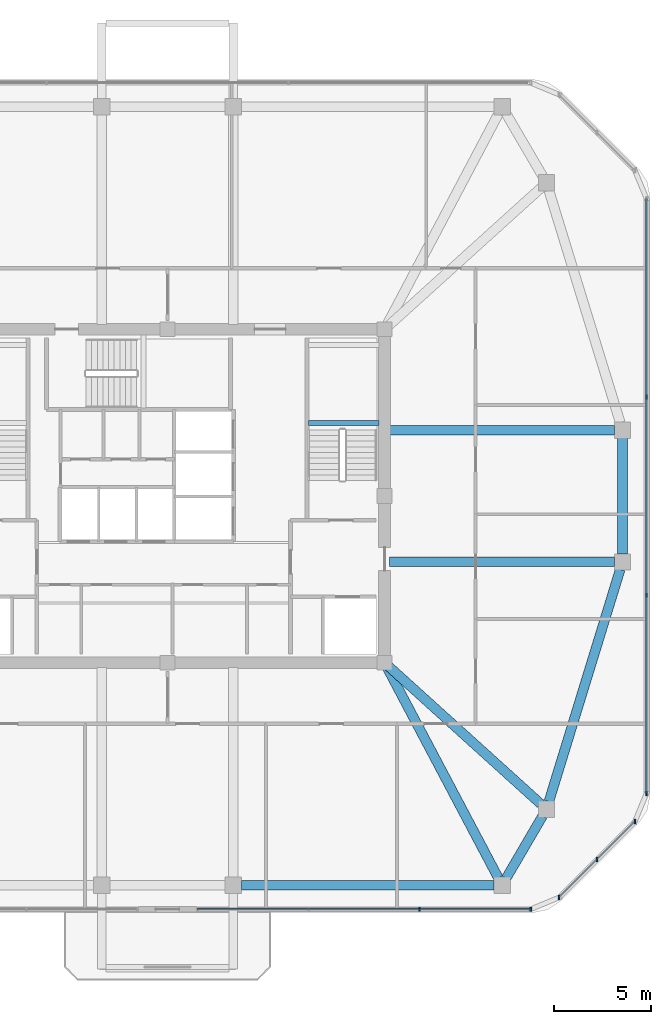
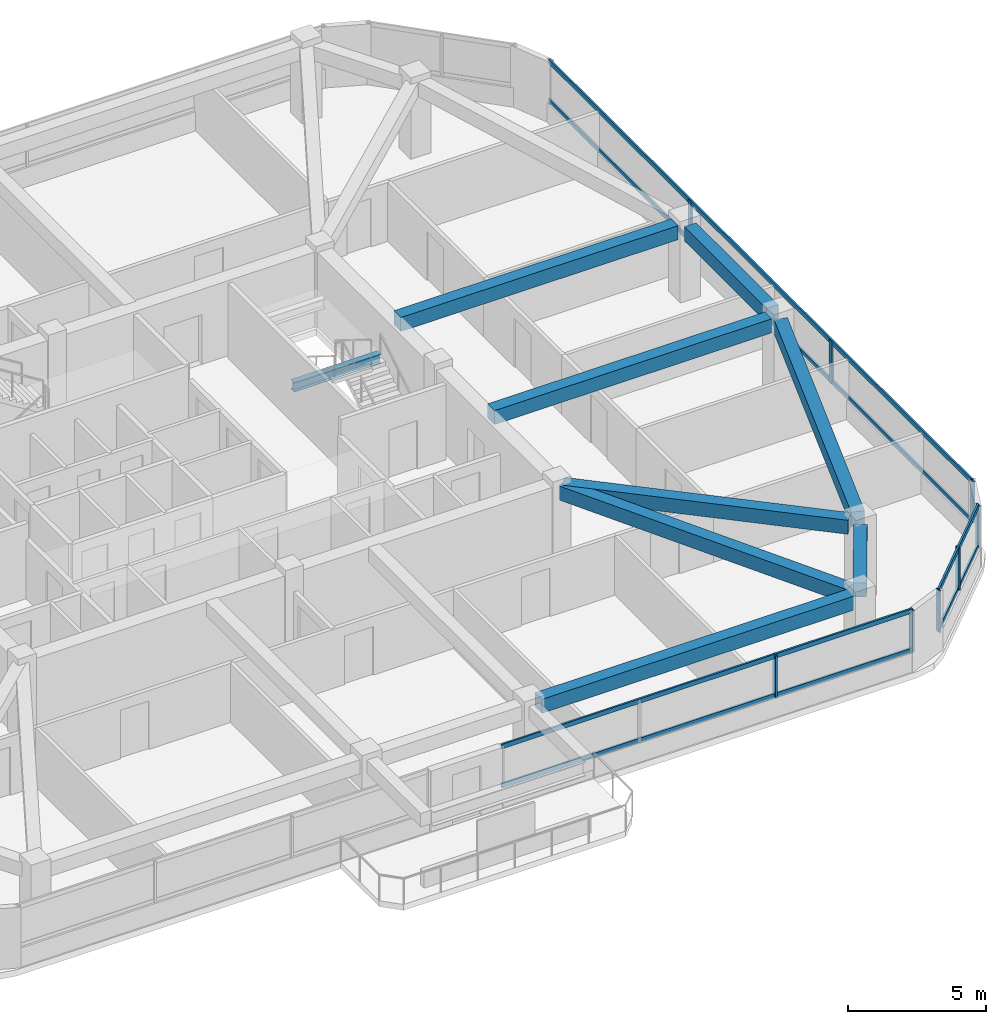
# One storey, part 3 of 12: 14 members, 9 beams, 3 elements without a shape of their own.
"""IFC4 building model written with IfcOpenShell, lengths in metres."""

import ifcopenshell
import ifcopenshell.guid

model = None  # the IFC model being written
_history = None  # IfcOwnerHistory: only IFC2X3 demands one
_inside = {}  # id of a spatial element -> (the spatial element, [elements in it])
_under = {}  # id of a project, library or spatial element -> (it, [spatial elements below it])
_declared = {}  # id of a project -> (the project, [libraries it declares])
_typed = {}  # id of a type object -> (the type object, [elements of that type])
_made_of = {}  # id of a material, layer set ... -> (it, [elements and type objects made of it])


def new_model(schema):
    """Start an empty IFC model of exactly this schema.

    Asked for "IFC4X3", IfcOpenShell would pick the latest addendum, in which some entities
    have other attributes; the version numbers below select the first issue.
    IFC2X3 requires an IfcOwnerHistory on every rooted entity: one is made here for all.
    """
    global model, _history
    if schema == "IFC4X3":
        model = ifcopenshell.file(schema_version=(4, 3, 0, 0))
    else:
        model = ifcopenshell.file(schema=schema)
    _inside.clear()
    _under.clear()
    _declared.clear()
    _typed.clear()
    _made_of.clear()
    _history = None
    if model.schema == "IFC2X3":
        org = make("IfcOrganization", Name="unknown")
        user = make(
            "IfcPersonAndOrganization",
            ThePerson=make("IfcPerson", FamilyName="unknown"),
            TheOrganization=org,
        )
        app = make(
            "IfcApplication",
            ApplicationDeveloper=org,
            Version="unknown",
            ApplicationFullName="unknown",
            ApplicationIdentifier="unknown",
        )
        _history = make(
            "IfcOwnerHistory",
            OwningUser=user,
            OwningApplication=app,
            ChangeAction="ADDED",
            CreationDate=0,
        )
    return model


def make(cls, **values):
    """One entity of the class cls with the attributes given. An attribute that is None is left unset."""
    return model.create_entity(
        cls, **{name: value for name, value in values.items() if value is not None}
    )


def rooted(cls, **values):
    """An entity with a GlobalId (a new one), such as an element, a storey or a relation."""
    return make(cls, GlobalId=ifcopenshell.guid.new(), OwnerHistory=_history, **values)


def si_unit(unit_type, name, prefix=None):
    """IfcSIUnit, for example si_unit("LENGTHUNIT", "METRE", prefix="MILLI")."""
    return make("IfcSIUnit", UnitType=unit_type, Prefix=prefix, Name=name)


def derived_unit(unit_type, elements):
    """IfcDerivedUnit: a product of units, each with its exponent."""
    return make(
        "IfcDerivedUnit",
        Elements=[
            make("IfcDerivedUnitElement", Unit=unit, Exponent=power)
            for unit, power in elements
        ],
        UnitType=unit_type,
    )


def assignment(units):
    """IfcUnitAssignment: the units of a project."""
    return None if units is None else make("IfcUnitAssignment", Units=units)


def point(xyz):
    """IfcCartesianPoint."""
    return None if xyz is None else make("IfcCartesianPoint", Coordinates=xyz)


def direction(xyz):
    """IfcDirection."""
    return None if xyz is None else make("IfcDirection", DirectionRatios=xyz)


def frame(location, z_axis=None, x_axis=None):
    """IfcAxis2Placement3D, a coordinate frame: its origin and axes. An axis left out is left unset."""
    return make(
        "IfcAxis2Placement3D",
        Location=point(location),
        Axis=direction(z_axis),
        RefDirection=direction(x_axis),
    )


def frame_2d(location, x_axis=None):
    """IfcAxis2Placement2D, a coordinate frame in the plane: its origin and x axis."""
    return make(
        "IfcAxis2Placement2D", Location=point(location), RefDirection=direction(x_axis)
    )


def origin():
    """The frame at (0, 0, 0) with its axes left unset."""
    return frame((0.0, 0.0, 0.0))


def origin_2d():
    """The frame at (0, 0) in the plane with its x axis left unset."""
    return frame_2d((0.0, 0.0))


def place(relative_to, where):
    """IfcLocalPlacement: puts the frame where relative to a parent placement (None: the world)."""
    return make(
        "IfcLocalPlacement", PlacementRelTo=relative_to, RelativePlacement=where
    )


def context(
    kind, dimensions, precision=None, world=None, true_north=None, identifier=None
):
    """IfcGeometricRepresentationContext, for example the 3D "Model" context."""
    return make(
        "IfcGeometricRepresentationContext",
        ContextIdentifier=identifier,
        ContextType=kind,
        CoordinateSpaceDimension=dimensions,
        Precision=precision,
        WorldCoordinateSystem=world,
        TrueNorth=true_north,
    )


def subcontext(parent, identifier, kind, view, scale=None):
    """IfcGeometricRepresentationSubContext, for example "Body" below "Model"."""
    return make(
        "IfcGeometricRepresentationSubContext",
        ContextIdentifier=identifier,
        ContextType=kind,
        ParentContext=parent,
        TargetScale=scale,
        TargetView=view,
    )


def project(units=None, contexts=None):
    """IfcProject with its units and contexts."""
    return rooted(
        "IfcProject",
        Name="project",
        RepresentationContexts=contexts,
        UnitsInContext=assignment(units),
    )


def spatial(cls, under=None, at=None, **own):
    """A site, building, storey or space (cls), placed at a placement, below another one or the project."""
    s = rooted(cls, ObjectPlacement=at, **own)
    if under is not None:
        _under.setdefault(under.id(), (under, []))[1].append(s)
    return s


def profile(cls, at=None, kind="AREA", **sizes):
    """A parametric profile (cls). Its sizes go by their IFC names, for example OverallWidth=200.0."""
    return make(cls, ProfileType=kind, Position=at, **sizes)


def rectangle(**sizes):
    """IfcRectangleProfileDef."""
    return profile("IfcRectangleProfileDef", **sizes)


def i_section(**sizes):
    """IfcIShapeProfileDef."""
    return profile("IfcIShapeProfileDef", **sizes)


def extrude(swept, where, along, depth):
    """IfcExtrudedAreaSolid: the profile swept, set in the frame where, extruded along a direction by depth."""
    return make(
        "IfcExtrudedAreaSolid",
        SweptArea=swept,
        Position=where,
        ExtrudedDirection=direction(along),
        Depth=depth,
    )


def shape(context_of_items, identifier, shape_type, items):
    """IfcShapeRepresentation: the items that make up one representation, for example the "Body"."""
    return make(
        "IfcShapeRepresentation",
        ContextOfItems=context_of_items,
        RepresentationIdentifier=identifier,
        RepresentationType=shape_type,
        Items=items,
    )


def material(Name=None, Category=None):
    """IfcMaterial."""
    return make("IfcMaterial", Name=Name, Category=Category)


def material_profile(
    of_material, cross_section, Name=None, Category=None, Priority=None
):
    """IfcMaterialProfile: a cross section and its material."""
    return make(
        "IfcMaterialProfile",
        Name=Name,
        Material=of_material,
        Profile=cross_section,
        Priority=Priority,
        Category=Category,
    )


def profile_set(profiles, Name=None, composite=None):
    """IfcMaterialProfileSet."""
    return make(
        "IfcMaterialProfileSet",
        Name=Name,
        MaterialProfiles=profiles,
        CompositeProfile=composite,
    )


def made_of(thing, what):
    """Note that an element or type object is made of a material, layer set ...; save() writes the relation."""
    if what is not None:
        _made_of.setdefault(what.id(), (what, []))[1].append(thing)
    return thing


def type_object(cls, material=None, **own):
    """A type object (cls), such as IfcWallType, which elements share."""
    return made_of(rooted(cls, **own), material)


def element(
    cls,
    number,
    at=None,
    inside=None,
    cuts=None,
    type_object=None,
    material=None,
    context=None,
    identifier="Body",
    shape_type=None,
    held_by="IfcProductDefinitionShape",
    body=None,
    shapes=None,
    **own,
):
    """One element of the class cls, such as IfcWall. Its Tag is "e" and its number.

    at: its placement. inside: the storey or other place that contains it. cuts: it is an
    opening in that element (IfcRelVoidsElement). A single representation is given by context,
    identifier, shape_type and body (its items); several are given by shapes. held_by: the class
    of the entity that holds the representations. save() writes the other relations.
    """
    e = rooted(cls, Tag="e%d" % number, ObjectPlacement=at, **own)
    if body is not None:
        shapes = [shape(context, identifier, shape_type, body)]
    if shapes is not None:
        e.Representation = make(held_by, Representations=shapes)
    if inside is not None:
        _inside.setdefault(inside.id(), (inside, []))[1].append(e)
    if cuts is not None:
        rooted(
            "IfcRelVoidsElement", RelatingBuildingElement=cuts, RelatedOpeningElement=e
        )
    if type_object is not None:
        _typed.setdefault(type_object.id(), (type_object, []))[1].append(e)
    return made_of(e, material)


def aggregate(whole, parts):
    """IfcRelAggregates: a whole, such as a stair, and the parts it consists of."""
    return rooted("IfcRelAggregates", RelatingObject=whole, RelatedObjects=parts)


def save(model, path):
    """Write the relations noted so far, then the file.

    IfcRelAggregates (storeys below a building ...), IfcRelContainedInSpatialStructure (elements
    in a storey), IfcRelDefinesByType, IfcRelAssociatesMaterial and IfcRelDeclares: one each for
    every whole, place, type object, material and project.
    """
    for whole, parts in _under.values():
        aggregate(whole, parts)
    for where, things in _inside.values():
        rooted(
            "IfcRelContainedInSpatialStructure",
            RelatedElements=things,
            RelatingStructure=where,
        )
    for kind, things in _typed.values():
        rooted("IfcRelDefinesByType", RelatedObjects=things, RelatingType=kind)
    for what, things in _made_of.values():
        rooted("IfcRelAssociatesMaterial", RelatedObjects=things, RelatingMaterial=what)
    for by, libraries in _declared.values():
        rooted("IfcRelDeclares", RelatingContext=by, RelatedDefinitions=libraries)
    model.write(path)


model = new_model("IFC4")

# Units and contexts
model_context = context("Model", 3, precision=1e-05, world=origin(), true_north=direction((0.0, 1.0)))
body_context = subcontext(model_context, "Body", "Model", "MODEL_VIEW")
ifc_project = project(units=[si_unit("LENGTHUNIT", "METRE"), si_unit("AREAUNIT", "SQUARE_METRE"), si_unit("VOLUMEUNIT", "CUBIC_METRE"), si_unit("PLANEANGLEUNIT", "RADIAN"), si_unit("MASSUNIT", "GRAM", prefix="KILO"), derived_unit("THERMALTRANSMITTANCEUNIT", [(si_unit("POWERUNIT", "WATT"), 1), (si_unit("LENGTHUNIT", "METRE"), -2), (si_unit("THERMODYNAMICTEMPERATUREUNIT", "KELVIN"), -1)])], contexts=[model_context])

# Site, building, storey
site_placement = place(None, origin())
site = spatial("IfcSite", under=ifc_project, at=site_placement, CompositionType="ELEMENT")
building_placement = place(site_placement, origin())
building = spatial("IfcBuilding", under=site, at=building_placement, Name="Koralith Skygarden Medical Center", CompositionType="ELEMENT")
storey_placement = place(building_placement, frame((0.0, 0.0, 278.820068359375)))
storey = spatial("IfcBuildingStorey", under=building, at=storey_placement, Name="L72", CompositionType="ELEMENT", Elevation=278.820068359375)

# Curtain wall, members
ifc_material_1 = material(Name="Clear Laminated Glass", Category="glass")
curtain_wall_type = type_object("IfcCurtainWallType", Name="CW-6 Zone 5 Upper Clinical Curtain Wall", PredefinedType="NOTDEFINED", material=ifc_material_1)
curtain_wall_1_placement = place(storey_placement, origin())
curtain_wall_1 = element("IfcCurtainWall", 1, at=curtain_wall_1_placement, inside=storey, type_object=curtain_wall_type, Name="Curtain Wall CW-L72-S-R", PredefinedType="NOTDEFINED")
ifc_material_2 = material(Name="Aluminium 6063-T6", Category="aluminium")
ifc_material_profile_1 = material_profile(ifc_material_2, rectangle(XDim=0.0830078125, YDim=0.219970703125, at=origin_2d()), Name="MUL83X220")
ifc_profile_set_1 = profile_set([ifc_material_profile_1], Name="Aluminium 6063-T6")
member_type_1 = type_object("IfcMemberType", Name="CW-6 Extruded Mullion 83x220", PredefinedType="MULLION", material=ifc_profile_set_1)
member_1_placement = place(storey_placement, frame((50.010009765625, 4.580078125, 0.849853515625), z_axis=(0.0, 0.0, 1.0), x_axis=(1.0, 0.0, 0.0)))
member_1 = element("IfcMember", 2, at=member_1_placement, type_object=member_type_1, Name="CW-L72-S-R Mullion 3", PredefinedType="MULLION", context=body_context, shape_type="SweptSolid", body=[
    extrude(rectangle(XDim=0.0830078125, YDim=0.219970703125, at=origin_2d()), origin(), (0.0, 0.0, 1.0), 1.840087890625),
])
member_2_placement = place(storey_placement, frame((55.7451171875, 4.580078125, 0.849853515625), z_axis=(0.0, 0.0, 1.0), x_axis=(1.0, 0.0, 0.0)))
member_2 = element("IfcMember", 3, at=member_2_placement, type_object=member_type_1, Name="CW-L72-S-R Mullion 4", PredefinedType="MULLION", context=body_context, shape_type="SweptSolid", body=[
    extrude(rectangle(XDim=0.0830078125, YDim=0.219970703125, at=origin_2d()), origin(), (0.0, 0.0, 1.0), 1.840087890625),
])

curtain_wall_2_placement = place(storey_placement, origin())
curtain_wall_2 = element("IfcCurtainWall", 4, at=curtain_wall_2_placement, inside=storey, type_object=curtain_wall_type, Name="Curtain Wall CW-L72-SE", PredefinedType="NOTDEFINED")
member_3_placement = place(storey_placement, frame((57.196044921875, 5.180908203125, 0.849853515625), z_axis=(0.0, 0.0, 1.0), x_axis=(1.0, 0.0, 0.0)))
member_3 = element("IfcMember", 5, at=member_3_placement, type_object=member_type_1, Name="CW-L72-SE Mullion 1", PredefinedType="MULLION", context=body_context, shape_type="SweptSolid", body=[
    extrude(rectangle(XDim=0.0830078125, YDim=0.219970703125, at=origin_2d()), origin(), (0.0, 0.0, 1.0), 1.840087890625),
])
member_4_placement = place(storey_placement, frame((59.156982421875, 7.14306640625, 0.849853515625), z_axis=(0.0, 0.0, 1.0), x_axis=(1.0, 0.0, 0.0)))
member_4 = element("IfcMember", 6, at=member_4_placement, type_object=member_type_1, Name="CW-L72-SE Mullion 2", PredefinedType="MULLION", context=body_context, shape_type="SweptSolid", body=[
    extrude(rectangle(XDim=0.0830078125, YDim=0.219970703125, at=origin_2d()), origin(), (0.0, 0.0, 1.0), 1.840087890625),
])
member_5_placement = place(storey_placement, frame((61.118896484375, 9.10400390625, 0.849853515625), z_axis=(0.0, 0.0, 1.0), x_axis=(1.0, 0.0, 0.0)))
member_5 = element("IfcMember", 7, at=member_5_placement, type_object=member_type_1, Name="CW-L72-SE Mullion 3", PredefinedType="MULLION", context=body_context, shape_type="SweptSolid", body=[
    extrude(rectangle(XDim=0.0830078125, YDim=0.219970703125, at=origin_2d()), origin(), (0.0, 0.0, 1.0), 1.840087890625),
])

curtain_wall_3_placement = place(storey_placement, origin())
curtain_wall_3 = element("IfcCurtainWall", 8, at=curtain_wall_3_placement, inside=storey, type_object=curtain_wall_type, Name="Curtain Wall CW-L72-E", PredefinedType="NOTDEFINED")
member_6_placement = place(storey_placement, frame((61.719970703125, 10.554931640625, 0.849853515625), z_axis=(0.0, 0.0, 1.0), x_axis=(1.0, 0.0, 0.0)))
member_6 = element("IfcMember", 9, at=member_6_placement, type_object=member_type_1, Name="CW-L72-E Mullion 1", PredefinedType="MULLION", context=body_context, shape_type="SweptSolid", body=[
    extrude(rectangle(XDim=0.0830078125, YDim=0.219970703125, at=origin_2d()), origin(), (0.0, 0.0, 1.0), 1.840087890625),
])
member_7_placement = place(storey_placement, frame((61.719970703125, 20.784912109375, 0.849853515625), z_axis=(0.0, 0.0, 1.0), x_axis=(1.0, 0.0, 0.0)))
member_7 = element("IfcMember", 10, at=member_7_placement, type_object=member_type_1, Name="CW-L72-E Mullion 2", PredefinedType="MULLION", context=body_context, shape_type="SweptSolid", body=[
    extrude(rectangle(XDim=0.0830078125, YDim=0.219970703125, at=origin_2d()), origin(), (0.0, 0.0, 1.0), 1.840087890625),
])
member_8_placement = place(storey_placement, frame((61.719970703125, 31.014892578125, 0.849853515625), z_axis=(0.0, 0.0, 1.0), x_axis=(1.0, 0.0, 0.0)))
member_8 = element("IfcMember", 11, at=member_8_placement, type_object=member_type_1, Name="CW-L72-E Mullion 3", PredefinedType="MULLION", context=body_context, shape_type="SweptSolid", body=[
    extrude(rectangle(XDim=0.0830078125, YDim=0.219970703125, at=origin_2d()), origin(), (0.0, 0.0, 1.0), 1.840087890625),
])

# Member
ifc_material_profile_2 = material_profile(ifc_material_2, rectangle(XDim=0.077880859375, YDim=0.197998046875, at=origin_2d()), Name="TRN78X198")
ifc_profile_set_2 = profile_set([ifc_material_profile_2], Name="Aluminium 6063-T6")
member_type_2 = type_object("IfcMemberType", Name="CW-6 Thermal Transom 78x198", PredefinedType="USERDEFINED", material=ifc_profile_set_2)
member_9_placement = place(storey_placement, frame((38.5390625, 4.580078125, 0.89990234375), z_axis=(1.0, 0.0, 0.0), x_axis=(0.0, 1.0, 0.0)))
member_9 = element("IfcMember", 12, at=member_9_placement, type_object=member_type_2, Name="CW-L72-S-R Transom 1", ObjectType="TRANSOM", PredefinedType="USERDEFINED", context=body_context, shape_type="SweptSolid", body=[
    extrude(rectangle(XDim=0.077880859375, YDim=0.197998046875, at=origin_2d()), origin(), (0.0, 0.0, 1.0), 17.2060546875),
])

member_10_placement = place(storey_placement, frame((38.5390625, 4.580078125, 2.639892578125), z_axis=(1.0, 0.0, 0.0), x_axis=(0.0, 1.0, 0.0)))
member_10 = element("IfcMember", 13, at=member_10_placement, type_object=member_type_2, Name="CW-L72-S-R Transom 2", ObjectType="TRANSOM", PredefinedType="USERDEFINED", context=body_context, shape_type="SweptSolid", body=[
    extrude(rectangle(XDim=0.077880859375, YDim=0.197998046875, at=origin_2d()), origin(), (0.0, 0.0, 1.0), 17.2060546875),
])

aggregate(curtain_wall_1, [member_1, member_2, member_9, member_10])

member_11_placement = place(storey_placement, frame((57.196044921875, 5.180908203125, 0.89990234375), z_axis=(0.707084777957, 0.707128783731, 0.0), x_axis=(-0.707128783731, 0.707084777957, 0.0)))
member_11 = element("IfcMember", 14, at=member_11_placement, type_object=member_type_2, Name="CW-L72-SE Transom 1", ObjectType="TRANSOM", PredefinedType="USERDEFINED", context=body_context, shape_type="SweptSolid", body=[
    extrude(rectangle(XDim=0.077880859375, YDim=0.197998046875, at=origin_2d()), origin(), (0.0, 0.0, 1.0), 5.5478515625),
])

member_12_placement = place(storey_placement, frame((57.196044921875, 5.180908203125, 2.639892578125), z_axis=(0.707084777957, 0.707128783731, 0.0), x_axis=(-0.707128783731, 0.707084777957, 0.0)))
member_12 = element("IfcMember", 15, at=member_12_placement, type_object=member_type_2, Name="CW-L72-SE Transom 2", ObjectType="TRANSOM", PredefinedType="USERDEFINED", context=body_context, shape_type="SweptSolid", body=[
    extrude(rectangle(XDim=0.077880859375, YDim=0.197998046875, at=origin_2d()), origin(), (0.0, 0.0, 1.0), 5.5478515625),
])

aggregate(curtain_wall_2, [member_3, member_4, member_5, member_11, member_12])

member_13_placement = place(storey_placement, frame((61.719970703125, 10.554931640625, 0.89990234375), z_axis=(0.0, 1.0, 0.0), x_axis=(-1.0, 0.0, 0.0)))
member_13 = element("IfcMember", 16, at=member_13_placement, type_object=member_type_2, Name="CW-L72-E Transom 1", ObjectType="TRANSOM", PredefinedType="USERDEFINED", context=body_context, shape_type="SweptSolid", body=[
    extrude(rectangle(XDim=0.077880859375, YDim=0.197998046875, at=origin_2d()), origin(), (0.0, 0.0, 1.0), 30.690185546875),
])

member_14_placement = place(storey_placement, frame((61.719970703125, 10.554931640625, 2.639892578125), z_axis=(0.0, 1.0, 0.0), x_axis=(-1.0, 0.0, 0.0)))
member_14 = element("IfcMember", 17, at=member_14_placement, type_object=member_type_2, Name="CW-L72-E Transom 2", ObjectType="TRANSOM", PredefinedType="USERDEFINED", context=body_context, shape_type="SweptSolid", body=[
    extrude(rectangle(XDim=0.077880859375, YDim=0.197998046875, at=origin_2d()), origin(), (0.0, 0.0, 1.0), 30.690185546875),
])

aggregate(curtain_wall_3, [member_6, member_7, member_8, member_13, member_14])

# Beams
ifc_material_3 = material(Name="Steel ASTM A992 Grade 50", Category="steel")
ifc_material_profile_3 = material_profile(ifc_material_3, i_section(OverallWidth=0.260009765625, OverallDepth=0.4150390625, WebThickness=0.010009765625, FlangeThickness=0.016845703125, at=origin_2d()), Name="W16X67")
ifc_profile_set_3 = profile_set([ifc_material_profile_3], Name="Steel ASTM A992 Grade 50")
beam_type_1 = type_object("IfcBeamType", Name="Clinical Floor Joist W16X67", PredefinedType="JOIST", material=ifc_profile_set_3)
beam_1_placement = place(storey_placement, frame((44.280029296875, 29.659912109375, 1.392822265625), z_axis=(1.0, 0.0, 0.0), x_axis=(0.0, 1.0, 0.0)))
element("IfcBeam", 18, at=beam_1_placement, inside=storey, type_object=beam_type_1, Name="L72 Stair ST2 Half-Landing Support Beam 1A", PredefinedType="JOIST", context=body_context, shape_type="SweptSolid", body=[
    extrude(i_section(OverallWidth=0.260009765625, OverallDepth=0.4150390625, WebThickness=0.010009765625, FlangeThickness=0.016845703125, at=origin_2d()), origin(), (0.0, 0.0, 1.0), 3.639892578125),
])
ifc_material_4 = material(Name="Concrete C45/55", Category="concrete")
ifc_material_profile_4 = material_profile(ifc_material_4, rectangle(XDim=0.5, YDim=0.6201171875, at=origin_2d()), Name="RCB500X620")
ifc_profile_set_4 = profile_set([ifc_material_profile_4], Name="Concrete C45/55")
beam_type_2 = type_object("IfcBeamType", Name="Upper Radial Collector Beam RCB500X620", PredefinedType="BEAM", material=ifc_profile_set_4)
beam_2_placement = place(storey_placement, frame((48.31689453125, 17.0791015625, 3.010009765625), z_axis=(0.46724871287, -0.884125918816, 0.0), x_axis=(0.884125918816, 0.46724871287, 0.0)))
element("IfcBeam", 19, at=beam_2_placement, inside=storey, type_object=beam_type_2, Name="L72 Radial Collector Beam RB-06", PredefinedType="BEAM", context=body_context, shape_type="SweptSolid", body=[
    extrude(rectangle(XDim=0.5, YDim=0.6201171875, at=origin_2d()), origin(), (0.0, 0.0, 1.0), 12.325439453125),
])
beam_3_placement = place(storey_placement, frame((48.385009765625, 17.132080078125, 3.010009765625), z_axis=(0.741736323186, -0.670691603397, 0.0), x_axis=(0.670691603397, 0.741736323186, 0.0)))
element("IfcBeam", 20, at=beam_3_placement, inside=storey, type_object=beam_type_2, Name="L72 Radial Collector Beam RB-07", PredefinedType="BEAM", context=body_context, shape_type="SweptSolid", body=[
    extrude(rectangle(XDim=0.5, YDim=0.6201171875, at=origin_2d()), origin(), (0.0, 0.0, 1.0), 10.61181640625),
])
for number, where, z_axis, x_axis, name in (
    (21, (48.449951171875, 22.5, 3.010009765625), (1.0, 0.0, 0.0), (0.0, 1.0, 0.0), "L72 Radial Collector Beam RB-08"),
    (22, (48.449951171875, 29.300048828125, 3.010009765625), (1.0, 0.0, 0.0), (0.0, 1.0, 0.0), "L72 Radial Collector Beam RB-09"),
):
    element("IfcBeam", number, at=place(storey_placement, frame(where, z_axis=z_axis, x_axis=x_axis)), inside=storey, type_object=beam_type_2, Name=name, PredefinedType="BEAM", context=body_context, shape_type="SweptSolid", body=[
        extrude(rectangle(XDim=0.5, YDim=0.6201171875, at=origin_2d()), origin(), (0.0, 0.0, 1.0), 11.6201171875),
    ])
ifc_material_profile_5 = material_profile(ifc_material_4, rectangle(XDim=0.5, YDim=0.6201171875, at=origin_2d()), Name="RCB500X620")
ifc_profile_set_5 = profile_set([ifc_material_profile_5], Name="Concrete C45/55")
beam_type_3 = type_object("IfcBeamType", Name="Zone 4-5 Spandrel Beam RCB500X620", PredefinedType="SPANDREL", material=ifc_profile_set_5)
beam_4_placement = place(storey_placement, frame((40.81005859375, 5.820068359375, 3.010009765625), z_axis=(1.0, 0.0, 0.0), x_axis=(0.0, 1.0, 0.0)))
element("IfcBeam", 23, at=beam_4_placement, inside=storey, type_object=beam_type_3, Name="L72 Perimeter Spandrel Beam SP-05", PredefinedType="SPANDREL", context=body_context, shape_type="SweptSolid", body=[
    extrude(rectangle(XDim=0.5, YDim=0.6201171875, at=origin_2d()), origin(), (0.0, 0.0, 1.0), 13.0478515625),
])
beam_5_placement = place(storey_placement, frame((54.47509765625, 6.174072265625, 3.010009765625), z_axis=(0.50473571007, 0.863273921175, 0.0), x_axis=(-0.863273921175, 0.50473571007, 0.0)))
element("IfcBeam", 24, at=beam_5_placement, inside=storey, type_object=beam_type_3, Name="L72 Perimeter Spandrel Beam SP-06", PredefinedType="SPANDREL", context=body_context, shape_type="SweptSolid", body=[
    extrude(rectangle(XDim=0.5, YDim=0.6201171875, at=origin_2d()), origin(), (0.0, 0.0, 1.0), 3.720703125),
])
beam_6_placement = place(storey_placement, frame((56.679931640625, 10.132080078125, 3.010009765625), z_axis=(0.293743494914, 0.955884281279, 0.0), x_axis=(-0.955884281279, 0.293743494914, 0.0)))
element("IfcBeam", 25, at=beam_6_placement, inside=storey, type_object=beam_type_3, Name="L72 Perimeter Spandrel Beam SP-07", PredefinedType="SPANDREL", context=body_context, shape_type="SweptSolid", body=[
    extrude(rectangle(XDim=0.5, YDim=0.6201171875, at=origin_2d()), origin(), (0.0, 0.0, 1.0), 12.528564453125),
])
beam_7_placement = place(storey_placement, frame((60.47998046875, 22.909912109375, 3.010009765625), z_axis=(0.0, 1.0, 0.0), x_axis=(-1.0, 0.0, 0.0)))
element("IfcBeam", 26, at=beam_7_placement, inside=storey, type_object=beam_type_3, Name="L72 Perimeter Spandrel Beam SP-08", PredefinedType="SPANDREL", context=body_context, shape_type="SweptSolid", body=[
    extrude(rectangle(XDim=0.5, YDim=0.6201171875, at=origin_2d()), origin(), (0.0, 0.0, 1.0), 5.97998046875),
])

save(model, "model.ifc")
